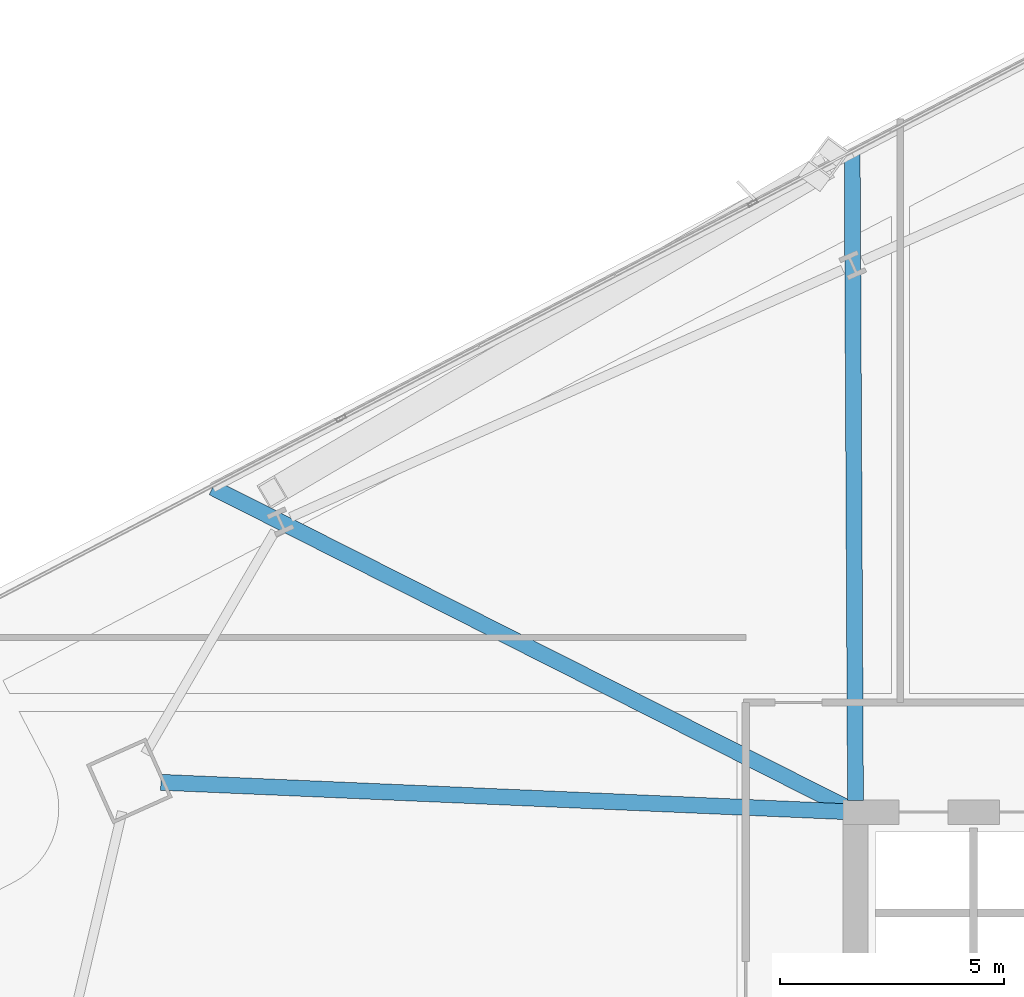
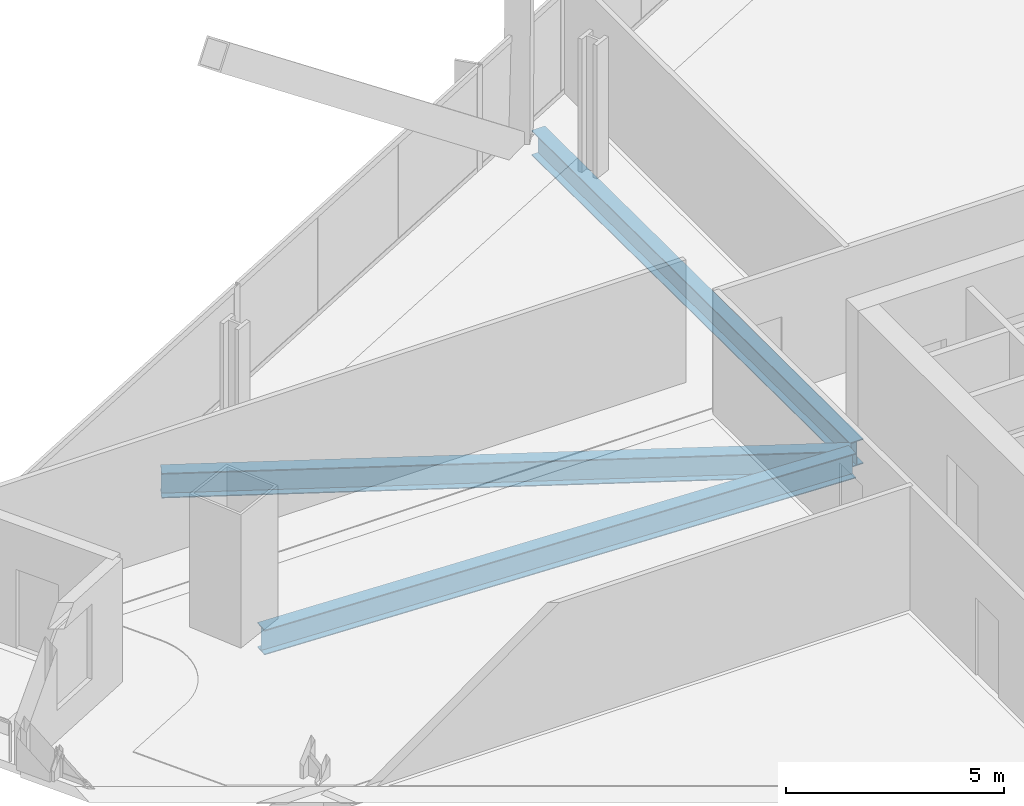
# One storey, part 16 of 33: 3 beams.
"""IFC4 building model written with IfcOpenShell, lengths in metres."""

from ifc_helpers import new_model, si_unit, direction, frame, origin, origin_2d, place, context, subcontext, project, spatial, i_section, extrude, material, material_profile, profile_set, type_object, element, save


model = new_model("IFC4")

# Units and contexts
model_context = context("Model", 3, precision=1e-05, world=origin(), true_north=direction((0.0, 1.0)))
body_context = subcontext(model_context, "Body", "Model", "MODEL_VIEW")
ifc_project = project(units=[si_unit("LENGTHUNIT", "METRE"), si_unit("AREAUNIT", "SQUARE_METRE"), si_unit("VOLUMEUNIT", "CUBIC_METRE"), si_unit("PLANEANGLEUNIT", "RADIAN"), si_unit("MASSUNIT", "GRAM", prefix="KILO")], contexts=[model_context])

# Site, building, storey
site_placement = place(None, origin())
site = spatial("IfcSite", under=ifc_project, at=site_placement, CompositionType="ELEMENT")
building_placement = place(site_placement, origin())
building = spatial("IfcBuilding", under=site, at=building_placement, Name="Haldenkirk Collegiate Tower", CompositionType="ELEMENT")
storey_placement = place(building_placement, frame((0.0, 0.0, 120.449951171875)))
storey = spatial("IfcBuildingStorey", under=building, at=storey_placement, Name="L29", CompositionType="ELEMENT", Elevation=120.449951171875)

# Beams
ifc_material = material(Name="Steel ASTM A992 Grade 50", Category="steel")
ifc_material_profile = material_profile(ifc_material, i_section(OverallWidth=0.35498046875, OverallDepth=0.696044921875, WebThickness=0.015380859375, FlangeThickness=0.02490234375, at=origin_2d()), Name="W27X146")
ifc_profile_set = profile_set([ifc_material_profile], Name="Steel ASTM A992 Grade 50")
beam_type = type_object("IfcBeamType", Name="BM-GIRDER-W27X146", PredefinedType="BEAM", material=ifc_profile_set)
beam_1_placement = place(storey_placement, frame((11.489990234375, 34.6650390625, -0.64794921875), z_axis=(0.999082162822, -0.042834938212, 0.0), x_axis=(0.042834938212, 0.999082162822, 0.0)))
element("IfcBeam", 1, at=beam_1_placement, inside=storey, type_object=beam_type, Name="L29 primary floor girder 04", PredefinedType="BEAM", context=body_context, shape_type="SweptSolid", body=[
    extrude(i_section(OverallWidth=0.35498046875, OverallDepth=0.696044921875, WebThickness=0.015380859375, FlangeThickness=0.02490234375, at=origin_2d()), origin(), (0.0, 0.0, 1.0), 15.26904296875),
])
beam_2_placement = place(storey_placement, frame((26.925048828125, 48.7099609375, -0.64794921875), z_axis=(0.005100595723, -0.999986991877, 0.0), x_axis=(0.999986991877, 0.005100595723, 0.0)))
element("IfcBeam", 2, at=beam_2_placement, inside=storey, type_object=beam_type, Name="L29 primary floor girder 12", PredefinedType="BEAM", context=body_context, shape_type="SweptSolid", body=[
    extrude(i_section(OverallWidth=0.35498046875, OverallDepth=0.696044921875, WebThickness=0.015380859375, FlangeThickness=0.02490234375, at=origin_2d()), origin(), (0.0, 0.0, 1.0), 14.455322265625),
])
beam_3_placement = place(storey_placement, frame((12.64697265625, 41.24560546875, -0.64794921875), z_axis=(0.892704877273, -0.450641766921, 0.0), x_axis=(0.450641766921, 0.892704877273, 0.0)))
element("IfcBeam", 3, at=beam_3_placement, inside=storey, type_object=beam_type, Name="L29 primary floor girder 13", PredefinedType="BEAM", context=body_context, shape_type="SweptSolid", body=[
    extrude(i_section(OverallWidth=0.35498046875, OverallDepth=0.696044921875, WebThickness=0.015380859375, FlangeThickness=0.02490234375, at=origin_2d()), origin(), (0.0, 0.0, 1.0), 15.8232421875),
])

save(model, "model.ifc")
